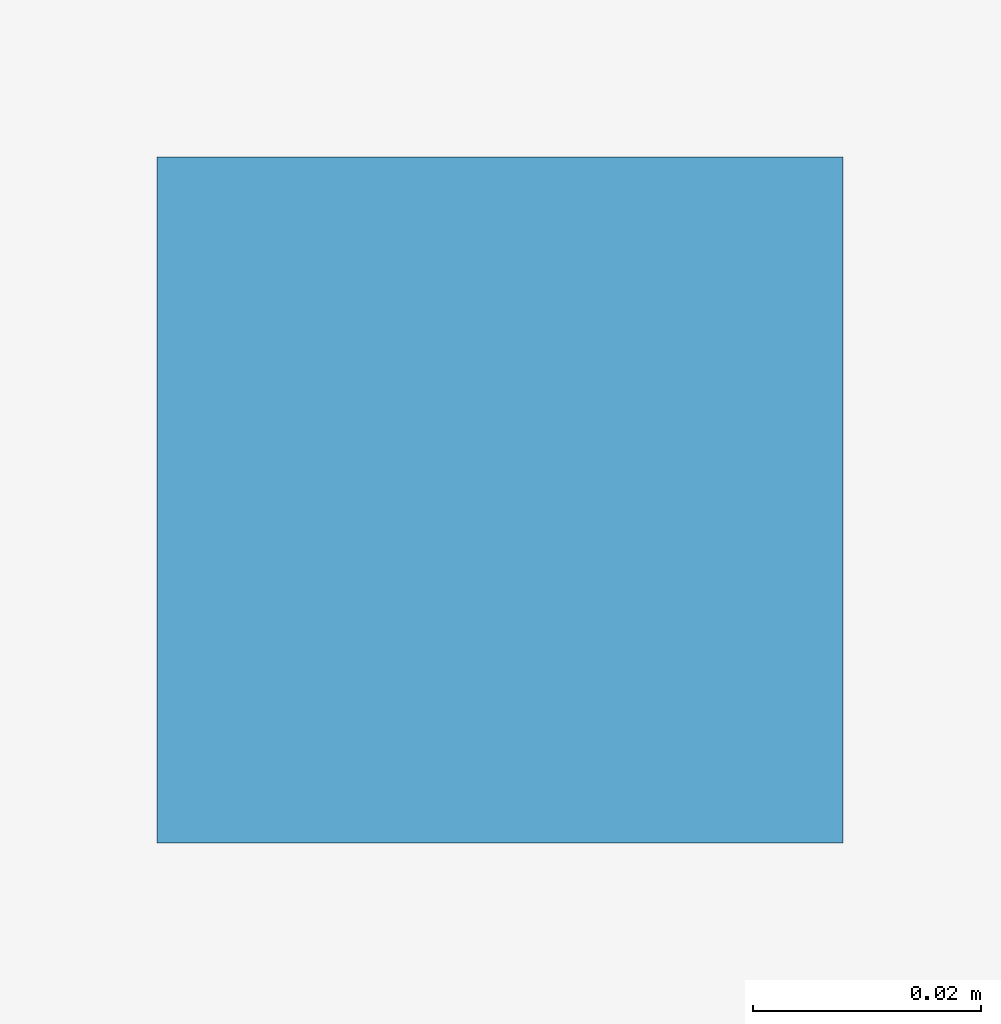
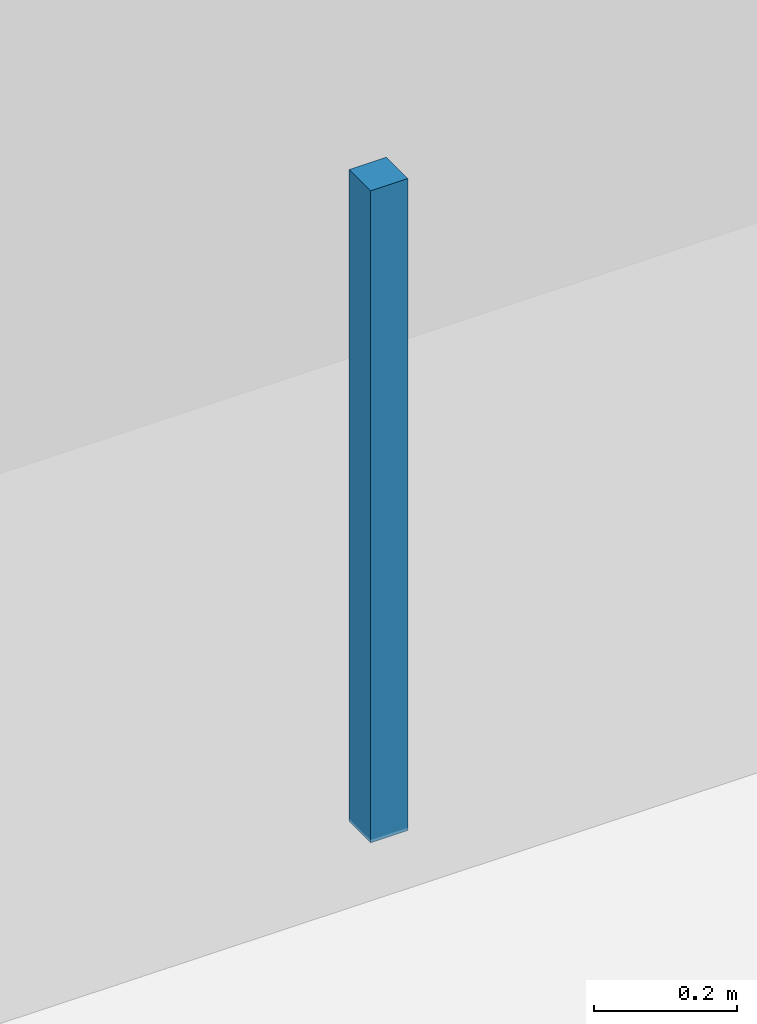
# One storey, part 117 of 139: 1 discrete accessory.
"""IFC4 building model written with IfcOpenShell, lengths in metres."""

from ifc_helpers import new_model, si_unit, derived_unit, direction, frame, origin, origin_2d, place, context, subcontext, project, spatial, rectangle, extrude, material, layer, layer_set, type_object, element, save


model = new_model("IFC4")

# Units and contexts
model_context = context("Model", 3, precision=1e-05, world=origin(), true_north=direction((0.0, 1.0)))
body_context = subcontext(model_context, "Body", "Model", "MODEL_VIEW")
ifc_project = project(units=[si_unit("LENGTHUNIT", "METRE"), si_unit("AREAUNIT", "SQUARE_METRE"), si_unit("VOLUMEUNIT", "CUBIC_METRE"), si_unit("PLANEANGLEUNIT", "RADIAN"), si_unit("MASSUNIT", "GRAM", prefix="KILO"), derived_unit("THERMALTRANSMITTANCEUNIT", [(si_unit("MASSUNIT", "GRAM", prefix="KILO"), 1), (si_unit("TIMEUNIT", "SECOND"), -3), (si_unit("THERMODYNAMICTEMPERATUREUNIT", "KELVIN"), -1)])], contexts=[model_context])

# Site, building, storey
site_placement = place(None, origin())
site = spatial("IfcSite", under=ifc_project, at=site_placement, CompositionType="ELEMENT")
building_placement = place(site_placement, origin())
building = spatial("IfcBuilding", under=site, at=building_placement, Name="Makaiwela Harbour Ferry Terminal", CompositionType="ELEMENT")
storey_placement = place(building_placement, frame((0.0, 0.0, 5.10009765625)))
storey = spatial("IfcBuildingStorey", under=building, at=storey_placement, Name="L01", CompositionType="ELEMENT", Elevation=5.10009765625)

# Discrete accessory
ifc_material = material(Name="Marine grade 316L brushed stainless steel", Category="steel")
ifc_layer = layer(ifc_material, 1.0)
ifc_layer_set = layer_set([ifc_layer], Name="Marine grade 316L brushed stainless steel")
discrete_accessory_type = type_object("IfcDiscreteAccessoryType", Name="INT-ACC-HNG", PredefinedType="BRACKET", material=ifc_layer_set)
discrete_accessory_placement = place(storey_placement, frame((125.199951171875, 53.60009765625, 3.134765625), z_axis=(0.0, 0.0, 1.0), x_axis=(1.0, 0.0, 0.0)))
element("IfcDiscreteAccessory", 1, at=discrete_accessory_placement, inside=storey, type_object=discrete_accessory_type, Name="Ceiling Suspension Bracket HNG-041", PredefinedType="BRACKET", context=body_context, shape_type="SweptSolid", body=[
    extrude(rectangle(XDim=0.06005859375, YDim=0.06005859375, at=origin_2d()), origin(), (0.0, 0.0, 1.0), 1.110107421875),
])

save(model, "model.ifc")
